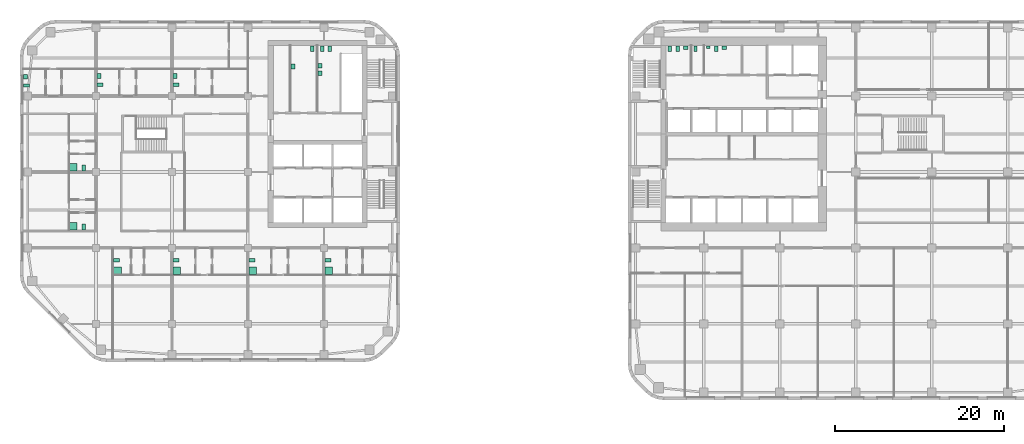
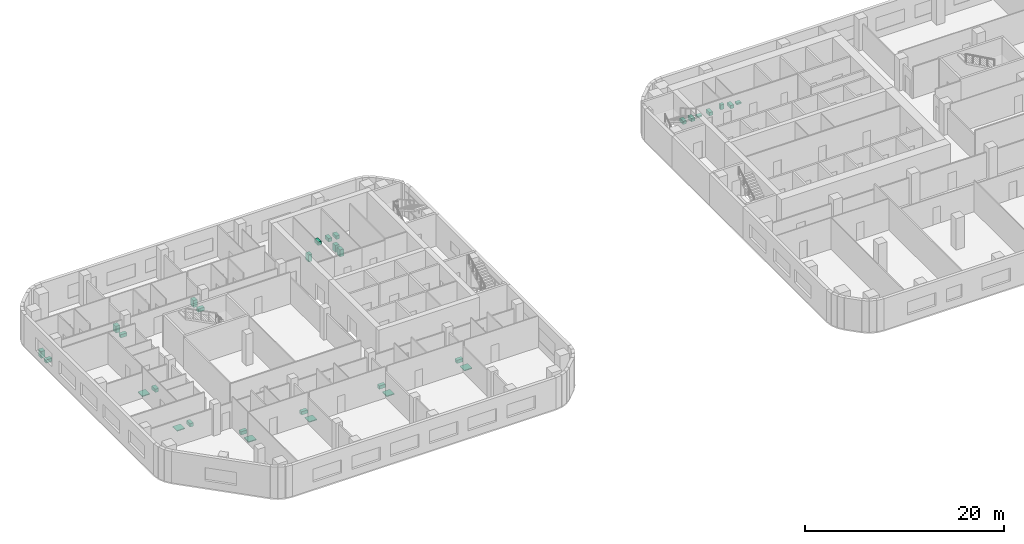
# One storey, part 16 of 16: 31 sanitary terminals.
"""IFC4 building model written with IfcOpenShell, lengths in metres."""

from ifc_helpers import new_model, si_unit, direction, frame, origin, origin_2d, place, context, subcontext, project, spatial, rectangle, extrude, material, type_object, element, save


model = new_model("IFC4")

# Units and contexts
model_context = context("Model", 3, precision=1e-05, world=origin(), true_north=direction((0.0, 1.0)))
body_context = subcontext(model_context, "Body", "Model", "MODEL_VIEW")
ifc_project = project(units=[si_unit("LENGTHUNIT", "METRE"), si_unit("AREAUNIT", "SQUARE_METRE"), si_unit("VOLUMEUNIT", "CUBIC_METRE"), si_unit("PLANEANGLEUNIT", "RADIAN"), si_unit("MASSUNIT", "GRAM", prefix="KILO")], contexts=[model_context])

# Site, building, storey
site_placement = place(None, origin())
site = spatial("IfcSite", under=ifc_project, at=site_placement, CompositionType="ELEMENT")
building_placement = place(site_placement, origin())
building = spatial("IfcBuilding", under=site, at=building_placement, Name="Cinnabar Reach Civic Tower", CompositionType="ELEMENT")
storey_placement = place(building_placement, frame((0.0, 0.0, 30.0)))
storey = spatial("IfcBuildingStorey", under=building, at=storey_placement, Name="L06", CompositionType="ELEMENT", Elevation=30.0)

# Sanitary terminals
ifc_material_1 = material(Name="Vitreous china")
sanitary_terminal_type_1 = type_object("IfcSanitaryTerminalType", Name="T1 WC pan", PredefinedType="TOILETPAN", material=ifc_material_1)
for number, where, z_axis, x_axis, name in (
    (1, (4.95, 41.6, 0.0), (0.0, 0.0, 1.0), (1.0, 0.0, 0.0), "T1 WC pan 0607-1"),
    (2, (5.9, 41.6, 0.0), (0.0, 0.0, 1.0), (1.0, 0.0, 0.0), "T1 WC pan 0607-2"),
    (3, (8.0, 41.6, 0.0), (0.0, 0.0, 1.0), (1.0, 0.0, 0.0), "T1 WC pan 0608-1"),
    (4, (10.45, 41.6, 0.0), (0.0, 0.0, 1.0), (1.0, 0.0, 0.0), "T1 WC pan 0609-2"),
):
    element("IfcSanitaryTerminal", number, at=place(storey_placement, frame(where, z_axis=z_axis, x_axis=x_axis)), inside=storey, type_object=sanitary_terminal_type_1, Name=name, PredefinedType="TOILETPAN", context=body_context, shape_type="SweptSolid", body=[
        extrude(rectangle(XDim=0.4, YDim=0.7, at=origin_2d()), origin(), (0.0, 0.0, 1.0), 0.4),
    ])
sanitary_terminal_type_2 = type_object("IfcSanitaryTerminalType", Name="T1 urinal", PredefinedType="URINAL", material=ifc_material_1)
sanitary_terminal_placement = place(storey_placement, frame((9.5, 41.775, 0.0), z_axis=(0.0, 0.0, 1.0), x_axis=(1.0, 0.0, 0.0)))
element("IfcSanitaryTerminal", 5, at=sanitary_terminal_placement, inside=storey, type_object=sanitary_terminal_type_2, Name="T1 urinal 0609-1", PredefinedType="URINAL", context=body_context, shape_type="SweptSolid", body=[
    extrude(rectangle(XDim=0.4, YDim=0.35, at=origin_2d()), origin(), (0.0, 0.0, 1.0), 0.6),
])
sanitary_terminal_type_3 = type_object("IfcSanitaryTerminalType", Name="T1 wash basin", PredefinedType="WASHHANDBASIN", material=ifc_material_1)
for number, where, z_axis, x_axis, name in (
    (6, (6.85, 41.74, 0.0), (0.0, 0.0, 1.0), (1.0, 0.0, 0.0), "T1 wash basin 0607-3"),
    (7, (11.4, 41.74, 0.0), (0.0, 0.0, 1.0), (1.0, 0.0, 0.0), "T1 wash basin 0609-3"),
):
    element("IfcSanitaryTerminal", number, at=place(storey_placement, frame(where, z_axis=z_axis, x_axis=x_axis)), inside=storey, type_object=sanitary_terminal_type_3, Name=name, PredefinedType="WASHHANDBASIN", context=body_context, shape_type="SweptSolid", body=[
        extrude(rectangle(XDim=0.5, YDim=0.42, at=origin_2d()), origin(), (0.0, 0.0, 1.0), 0.2),
    ])
ifc_material_2 = material(Name="Acrylic tray")
sanitary_terminal_type_4 = type_object("IfcSanitaryTerminalType", Name="T2 Shower tray", PredefinedType="SHOWER", material=ifc_material_2)
for number, where, z_axis, x_axis, name in (
    (8, (-60.45, 15.3, 0.0), (0.0, 0.0, 1.0), (1.0, 0.0, 0.0), "Shower tray"),
    (9, (-53.425, 15.3, 0.0), (0.0, 0.0, 1.0), (1.0, 0.0, 0.0), "Shower tray"),
    (10, (-44.425, 15.3, 0.0), (0.0, 0.0, 1.0), (1.0, 0.0, 0.0), "Shower tray"),
    (11, (-35.425, 15.3, 0.0), (0.0, 0.0, 1.0), (1.0, 0.0, 0.0), "Shower tray"),
    (12, (-65.7, 20.575, 0.0), (0.0, 0.0, 1.0), (1.0, 0.0, 0.0), "Shower tray"),
    (13, (-65.7, 27.575, 0.0), (0.0, 0.0, 1.0), (1.0, 0.0, 0.0), "Shower tray"),
):
    element("IfcSanitaryTerminal", number, at=place(storey_placement, frame(where, z_axis=z_axis, x_axis=x_axis)), inside=storey, type_object=sanitary_terminal_type_4, Name=name, PredefinedType="SHOWER", context=body_context, shape_type="SweptSolid", body=[
        extrude(rectangle(XDim=0.9, YDim=0.9, at=origin_2d()), origin(), (0.0, 0.0, 1.0), 0.1),
    ])
sanitary_terminal_type_5 = type_object("IfcSanitaryTerminalType", Name="T2 WC pan", PredefinedType="TOILETPAN", material=ifc_material_1)
for number, where, z_axis, x_axis, name in (
    (14, (-37.4, 41.6, 0.0), (0.0, 0.0, 1.0), (1.0, 0.0, 0.0), "WC pan"),
    (15, (-36.2, 41.6, 0.0), (0.0, 0.0, 1.0), (1.0, 0.0, 0.0), "WC pan"),
    (16, (-35.3, 41.6, 0.0), (0.0, 0.0, 1.0), (1.0, 0.0, 0.0), "WC pan"),
):
    element("IfcSanitaryTerminal", number, at=place(storey_placement, frame(where, z_axis=z_axis, x_axis=x_axis)), inside=storey, type_object=sanitary_terminal_type_5, Name=name, PredefinedType="TOILETPAN", context=body_context, shape_type="SweptSolid", body=[
        extrude(rectangle(XDim=0.4, YDim=0.7, at=origin_2d()), origin(), (0.0, 0.0, 1.0), 0.42),
    ])
for number, where, z_axis, x_axis, name in (
    (17, (-60.55, 16.55, 0.0), (0.0, 0.0, 1.0), (1.0, 0.0, 0.0), "WC pan"),
    (18, (-53.525, 16.55, 0.0), (0.0, 0.0, 1.0), (1.0, 0.0, 0.0), "WC pan"),
    (19, (-44.525, 16.55, 0.0), (0.0, 0.0, 1.0), (1.0, 0.0, 0.0), "WC pan"),
    (20, (-35.525, 16.55, 0.0), (0.0, 0.0, 1.0), (1.0, 0.0, 0.0), "WC pan"),
    (21, (-71.24, 37.25, 0.0), (0.0, 0.0, 1.0), (1.0, 0.0, 0.0), "WC pan"),
    (22, (-62.525, 37.325, 0.0), (0.0, 0.0, 1.0), (1.0, 0.0, 0.0), "WC pan"),
    (23, (-53.525, 37.325, 0.0), (0.0, 0.0, 1.0), (1.0, 0.0, 0.0), "WC pan"),
):
    element("IfcSanitaryTerminal", number, at=place(storey_placement, frame(where, z_axis=z_axis, x_axis=x_axis)), inside=storey, type_object=sanitary_terminal_type_5, Name=name, PredefinedType="TOILETPAN", context=body_context, shape_type="SweptSolid", body=[
        extrude(rectangle(XDim=0.7, YDim=0.4, at=origin_2d()), origin(), (0.0, 0.0, 1.0), 0.42),
    ])
for number, where, z_axis, x_axis, name in (
    (24, (-64.45, 20.475, 0.0), (0.0, 0.0, 1.0), (1.0, 0.0, 0.0), "WC pan"),
    (25, (-64.45, 27.475, 0.0), (0.0, 0.0, 1.0), (1.0, 0.0, 0.0), "WC pan"),
):
    element("IfcSanitaryTerminal", number, at=place(storey_placement, frame(where, z_axis=z_axis, x_axis=x_axis)), inside=storey, type_object=sanitary_terminal_type_5, Name=name, PredefinedType="TOILETPAN", context=body_context, shape_type="SweptSolid", body=[
        extrude(rectangle(XDim=0.4, YDim=0.7, at=origin_2d()), origin(), (0.0, 0.0, 1.0), 0.42),
    ])
sanitary_terminal_type_6 = type_object("IfcSanitaryTerminalType", Name="T2 Wash basin", PredefinedType="WASHHANDBASIN", material=ifc_material_1)
for number, where, z_axis, x_axis, name in (
    (26, (-39.675, 39.5, 0.0), (0.0, 0.0, 1.0), (1.0, 0.0, 0.0), "Wash basin"),
    (27, (-36.475, 39.6, 0.0), (0.0, 0.0, 1.0), (1.0, 0.0, 0.0), "Wash basin"),
    (28, (-36.475, 38.7, 0.0), (0.0, 0.0, 1.0), (1.0, 0.0, 0.0), "Wash basin"),
    (29, (-71.365, 38.3, 0.0), (0.0, 0.0, 1.0), (1.0, 0.0, 0.0), "Wash basin"),
    (30, (-62.65, 38.375, 0.0), (0.0, 0.0, 1.0), (1.0, 0.0, 0.0), "Wash basin"),
    (31, (-53.65, 38.375, 0.0), (0.0, 0.0, 1.0), (1.0, 0.0, 0.0), "Wash basin"),
):
    element("IfcSanitaryTerminal", number, at=place(storey_placement, frame(where, z_axis=z_axis, x_axis=x_axis)), inside=storey, type_object=sanitary_terminal_type_6, Name=name, PredefinedType="WASHHANDBASIN", context=body_context, shape_type="SweptSolid", body=[
        extrude(rectangle(XDim=0.45, YDim=0.55, at=origin_2d()), origin(), (0.0, 0.0, 1.0), 0.85),
    ])

save(model, "model.ifc")
